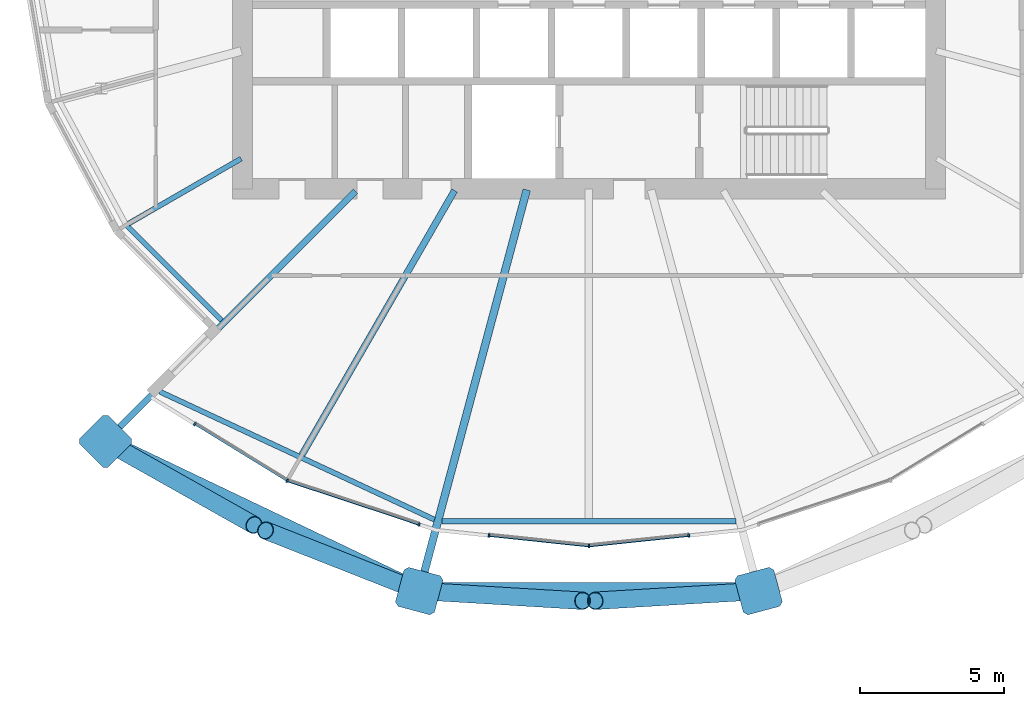
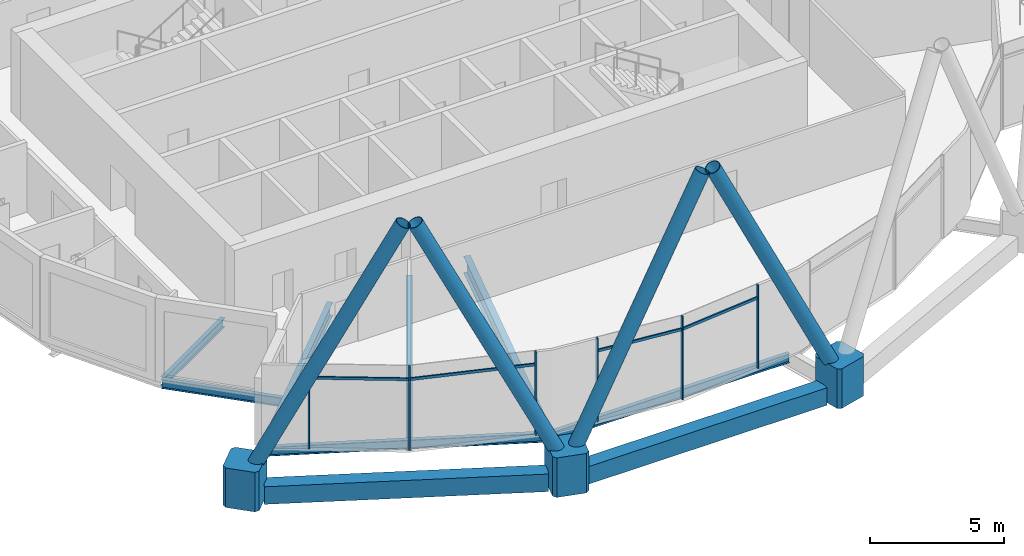
# One storey, part 3 of 35: 17 members, 9 beams, 1 element without a shape of its own.
"""IFC4 building model written with IfcOpenShell, lengths in metres."""

import ifcopenshell
import ifcopenshell.guid

model = None  # the IFC model being written
_history = None  # IfcOwnerHistory: only IFC2X3 demands one
_inside = {}  # id of a spatial element -> (the spatial element, [elements in it])
_under = {}  # id of a project, library or spatial element -> (it, [spatial elements below it])
_declared = {}  # id of a project -> (the project, [libraries it declares])
_typed = {}  # id of a type object -> (the type object, [elements of that type])
_made_of = {}  # id of a material, layer set ... -> (it, [elements and type objects made of it])


def new_model(schema):
    """Start an empty IFC model of exactly this schema.

    Asked for "IFC4X3", IfcOpenShell would pick the latest addendum, in which some entities
    have other attributes; the version numbers below select the first issue.
    IFC2X3 requires an IfcOwnerHistory on every rooted entity: one is made here for all.
    """
    global model, _history
    if schema == "IFC4X3":
        model = ifcopenshell.file(schema_version=(4, 3, 0, 0))
    else:
        model = ifcopenshell.file(schema=schema)
    _inside.clear()
    _under.clear()
    _declared.clear()
    _typed.clear()
    _made_of.clear()
    _history = None
    if model.schema == "IFC2X3":
        org = make("IfcOrganization", Name="unknown")
        user = make(
            "IfcPersonAndOrganization",
            ThePerson=make("IfcPerson", FamilyName="unknown"),
            TheOrganization=org,
        )
        app = make(
            "IfcApplication",
            ApplicationDeveloper=org,
            Version="unknown",
            ApplicationFullName="unknown",
            ApplicationIdentifier="unknown",
        )
        _history = make(
            "IfcOwnerHistory",
            OwningUser=user,
            OwningApplication=app,
            ChangeAction="ADDED",
            CreationDate=0,
        )
    return model


def make(cls, **values):
    """One entity of the class cls with the attributes given. An attribute that is None is left unset."""
    return model.create_entity(
        cls, **{name: value for name, value in values.items() if value is not None}
    )


def rooted(cls, **values):
    """An entity with a GlobalId (a new one), such as an element, a storey or a relation."""
    return make(cls, GlobalId=ifcopenshell.guid.new(), OwnerHistory=_history, **values)


def si_unit(unit_type, name, prefix=None):
    """IfcSIUnit, for example si_unit("LENGTHUNIT", "METRE", prefix="MILLI")."""
    return make("IfcSIUnit", UnitType=unit_type, Prefix=prefix, Name=name)


def assignment(units):
    """IfcUnitAssignment: the units of a project."""
    return None if units is None else make("IfcUnitAssignment", Units=units)


def point(xyz):
    """IfcCartesianPoint."""
    return None if xyz is None else make("IfcCartesianPoint", Coordinates=xyz)


def direction(xyz):
    """IfcDirection."""
    return None if xyz is None else make("IfcDirection", DirectionRatios=xyz)


def frame(location, z_axis=None, x_axis=None):
    """IfcAxis2Placement3D, a coordinate frame: its origin and axes. An axis left out is left unset."""
    return make(
        "IfcAxis2Placement3D",
        Location=point(location),
        Axis=direction(z_axis),
        RefDirection=direction(x_axis),
    )


def frame_2d(location, x_axis=None):
    """IfcAxis2Placement2D, a coordinate frame in the plane: its origin and x axis."""
    return make(
        "IfcAxis2Placement2D", Location=point(location), RefDirection=direction(x_axis)
    )


def origin():
    """The frame at (0, 0, 0) with its axes left unset."""
    return frame((0.0, 0.0, 0.0))


def origin_2d():
    """The frame at (0, 0) in the plane with its x axis left unset."""
    return frame_2d((0.0, 0.0))


def place(relative_to, where):
    """IfcLocalPlacement: puts the frame where relative to a parent placement (None: the world)."""
    return make(
        "IfcLocalPlacement", PlacementRelTo=relative_to, RelativePlacement=where
    )


def context(
    kind, dimensions, precision=None, world=None, true_north=None, identifier=None
):
    """IfcGeometricRepresentationContext, for example the 3D "Model" context."""
    return make(
        "IfcGeometricRepresentationContext",
        ContextIdentifier=identifier,
        ContextType=kind,
        CoordinateSpaceDimension=dimensions,
        Precision=precision,
        WorldCoordinateSystem=world,
        TrueNorth=true_north,
    )


def subcontext(parent, identifier, kind, view, scale=None):
    """IfcGeometricRepresentationSubContext, for example "Body" below "Model"."""
    return make(
        "IfcGeometricRepresentationSubContext",
        ContextIdentifier=identifier,
        ContextType=kind,
        ParentContext=parent,
        TargetScale=scale,
        TargetView=view,
    )


def project(units=None, contexts=None):
    """IfcProject with its units and contexts."""
    return rooted(
        "IfcProject",
        Name="project",
        RepresentationContexts=contexts,
        UnitsInContext=assignment(units),
    )


def spatial(cls, under=None, at=None, **own):
    """A site, building, storey or space (cls), placed at a placement, below another one or the project."""
    s = rooted(cls, ObjectPlacement=at, **own)
    if under is not None:
        _under.setdefault(under.id(), (under, []))[1].append(s)
    return s


def polyline(points):
    """IfcPolyline through the points."""
    return make("IfcPolyline", Points=[point(p) for p in points])


def profile(cls, at=None, kind="AREA", **sizes):
    """A parametric profile (cls). Its sizes go by their IFC names, for example OverallWidth=200.0."""
    return make(cls, ProfileType=kind, Position=at, **sizes)


def rectangle(**sizes):
    """IfcRectangleProfileDef."""
    return profile("IfcRectangleProfileDef", **sizes)


def hollow_rectangle(**sizes):
    """IfcRectangleHollowProfileDef."""
    return profile("IfcRectangleHollowProfileDef", **sizes)


def hollow_circle(**sizes):
    """IfcCircleHollowProfileDef."""
    return profile("IfcCircleHollowProfileDef", **sizes)


def i_section(**sizes):
    """IfcIShapeProfileDef."""
    return profile("IfcIShapeProfileDef", **sizes)


def outline(outer, holes=None, kind="AREA"):
    """IfcArbitraryClosedProfileDef: a profile drawn as a closed curve; with holes, ...WithVoids."""
    if holes is None:
        return make("IfcArbitraryClosedProfileDef", ProfileType=kind, OuterCurve=outer)
    return make(
        "IfcArbitraryProfileDefWithVoids",
        ProfileType=kind,
        OuterCurve=outer,
        InnerCurves=holes,
    )


def extrude(swept, where, along, depth):
    """IfcExtrudedAreaSolid: the profile swept, set in the frame where, extruded along a direction by depth."""
    return make(
        "IfcExtrudedAreaSolid",
        SweptArea=swept,
        Position=where,
        ExtrudedDirection=direction(along),
        Depth=depth,
    )


def shape(context_of_items, identifier, shape_type, items):
    """IfcShapeRepresentation: the items that make up one representation, for example the "Body"."""
    return make(
        "IfcShapeRepresentation",
        ContextOfItems=context_of_items,
        RepresentationIdentifier=identifier,
        RepresentationType=shape_type,
        Items=items,
    )


def material(Name=None, Category=None):
    """IfcMaterial."""
    return make("IfcMaterial", Name=Name, Category=Category)


def material_profile(
    of_material, cross_section, Name=None, Category=None, Priority=None
):
    """IfcMaterialProfile: a cross section and its material."""
    return make(
        "IfcMaterialProfile",
        Name=Name,
        Material=of_material,
        Profile=cross_section,
        Priority=Priority,
        Category=Category,
    )


def profile_set(profiles, Name=None, composite=None):
    """IfcMaterialProfileSet."""
    return make(
        "IfcMaterialProfileSet",
        Name=Name,
        MaterialProfiles=profiles,
        CompositeProfile=composite,
    )


def made_of(thing, what):
    """Note that an element or type object is made of a material, layer set ...; save() writes the relation."""
    if what is not None:
        _made_of.setdefault(what.id(), (what, []))[1].append(thing)
    return thing


def type_object(cls, material=None, **own):
    """A type object (cls), such as IfcWallType, which elements share."""
    return made_of(rooted(cls, **own), material)


def element(
    cls,
    number,
    at=None,
    inside=None,
    cuts=None,
    type_object=None,
    material=None,
    context=None,
    identifier="Body",
    shape_type=None,
    held_by="IfcProductDefinitionShape",
    body=None,
    shapes=None,
    **own,
):
    """One element of the class cls, such as IfcWall. Its Tag is "e" and its number.

    at: its placement. inside: the storey or other place that contains it. cuts: it is an
    opening in that element (IfcRelVoidsElement). A single representation is given by context,
    identifier, shape_type and body (its items); several are given by shapes. held_by: the class
    of the entity that holds the representations. save() writes the other relations.
    """
    e = rooted(cls, Tag="e%d" % number, ObjectPlacement=at, **own)
    if body is not None:
        shapes = [shape(context, identifier, shape_type, body)]
    if shapes is not None:
        e.Representation = make(held_by, Representations=shapes)
    if inside is not None:
        _inside.setdefault(inside.id(), (inside, []))[1].append(e)
    if cuts is not None:
        rooted(
            "IfcRelVoidsElement", RelatingBuildingElement=cuts, RelatedOpeningElement=e
        )
    if type_object is not None:
        _typed.setdefault(type_object.id(), (type_object, []))[1].append(e)
    return made_of(e, material)


def aggregate(whole, parts):
    """IfcRelAggregates: a whole, such as a stair, and the parts it consists of."""
    return rooted("IfcRelAggregates", RelatingObject=whole, RelatedObjects=parts)


def save(model, path):
    """Write the relations noted so far, then the file.

    IfcRelAggregates (storeys below a building ...), IfcRelContainedInSpatialStructure (elements
    in a storey), IfcRelDefinesByType, IfcRelAssociatesMaterial and IfcRelDeclares: one each for
    every whole, place, type object, material and project.
    """
    for whole, parts in _under.values():
        aggregate(whole, parts)
    for where, things in _inside.values():
        rooted(
            "IfcRelContainedInSpatialStructure",
            RelatedElements=things,
            RelatingStructure=where,
        )
    for kind, things in _typed.values():
        rooted("IfcRelDefinesByType", RelatedObjects=things, RelatingType=kind)
    for what, things in _made_of.values():
        rooted("IfcRelAssociatesMaterial", RelatedObjects=things, RelatingMaterial=what)
    for by, libraries in _declared.values():
        rooted("IfcRelDeclares", RelatingContext=by, RelatedDefinitions=libraries)
    model.write(path)


model = new_model("IFC4")

# Units and contexts
model_context = context("Model", 3, precision=1e-05, world=origin(), true_north=direction((0.0, 1.0)))
body_context = subcontext(model_context, "Body", "Model", "MODEL_VIEW")
ifc_project = project(units=[si_unit("LENGTHUNIT", "METRE"), si_unit("AREAUNIT", "SQUARE_METRE"), si_unit("VOLUMEUNIT", "CUBIC_METRE"), si_unit("PLANEANGLEUNIT", "RADIAN"), si_unit("MASSUNIT", "GRAM", prefix="KILO")], contexts=[model_context])

# Site, building, storey
site_placement = place(None, origin())
site = spatial("IfcSite", under=ifc_project, at=site_placement, CompositionType="ELEMENT")
building_placement = place(site_placement, origin())
building = spatial("IfcBuilding", under=site, at=building_placement, Name="Rimbun Link Towers", CompositionType="ELEMENT")
storey_placement = place(building_placement, frame((0.0, 0.0, 146.800048828125)))
storey = spatial("IfcBuildingStorey", under=building, at=storey_placement, Name="L35", CompositionType="ELEMENT", Elevation=146.800048828125)

# Curtain wall, members
ifc_material_1 = material(Name="Aluminium 6063-T6 and low-iron glass", Category="aluminium")
curtain_wall_type = type_object("IfcCurtainWallType", Name="CW4 link block wall", PredefinedType="NOTDEFINED", material=ifc_material_1)
curtain_wall_placement = place(storey_placement, origin())
curtain_wall = element("IfcCurtainWall", 1, at=curtain_wall_placement, inside=storey, type_object=curtain_wall_type, Name="CW4 L35 T1", PredefinedType="NOTDEFINED")
ifc_material_2 = material(Name="Aluminium 6063-T6", Category="aluminium")
ifc_material_profile_1 = material_profile(ifc_material_2, rectangle(XDim=0.1201171875, YDim=0.06005859375, at=origin_2d()), Name="MULLION 60X120")
ifc_profile_set_1 = profile_set([ifc_material_profile_1], Name="Aluminium 6063-T6")
member_type_1 = type_object("IfcMemberType", Name="CW4 mullion 60X120", PredefinedType="MULLION", material=ifc_profile_set_1)
member_1_placement = place(storey_placement, frame((-42.20068359375, -18.11181640625, 0.0), z_axis=(0.0, 0.0, 1.0), x_axis=(-0.421697332152, -0.906736654192, 0.0)))
member_1 = element("IfcMember", 2, at=member_1_placement, type_object=member_type_1, Name="CW4 mullion", PredefinedType="MULLION", context=body_context, shape_type="SweptSolid", body=[
    extrude(rectangle(XDim=0.1201171875, YDim=0.06005859375, at=origin_2d()), origin(), (0.0, 0.0, 1.0), 3.800048828125),
])
member_2_placement = place(storey_placement, frame((-45.401611328125, -16.147216796875, 0.0), z_axis=(0.0, 0.0, 1.0), x_axis=(-0.523225378089, -0.852194346217, 0.0)))
member_2 = element("IfcMember", 3, at=member_2_placement, type_object=member_type_1, Name="CW4 mullion", PredefinedType="MULLION", context=body_context, shape_type="SweptSolid", body=[
    extrude(rectangle(XDim=0.1201171875, YDim=0.06005859375, at=origin_2d()), origin(), (0.0, 0.0, 1.0), 3.800048828125),
])
member_3_placement = place(storey_placement, frame((-37.632568359375, -19.626220703125, 0.0), z_axis=(0.0, 0.0, 1.0), x_axis=(-0.314567961741, -0.949234953763, 0.0)))
member_3 = element("IfcMember", 4, at=member_3_placement, type_object=member_type_1, Name="CW4 mullion", PredefinedType="MULLION", context=body_context, shape_type="SweptSolid", body=[
    extrude(rectangle(XDim=0.1201171875, YDim=0.06005859375, at=origin_2d()), origin(), (0.0, 0.0, 1.0), 3.800048828125),
])
member_4_placement = place(storey_placement, frame((-31.75, -20.37548828125, 0.0), z_axis=(0.0, 0.0, 1.0), x_axis=(0.0, -1.0, 0.0)))
member_4 = element("IfcMember", 5, at=member_4_placement, type_object=member_type_1, Name="CW4 mullion", PredefinedType="MULLION", context=body_context, shape_type="SweptSolid", body=[
    extrude(rectangle(XDim=0.1201171875, YDim=0.06005859375, at=origin_2d()), origin(), (0.0, 0.0, 1.0), 3.800048828125),
])
member_5_placement = place(storey_placement, frame((-35.21044921875, -20.011474609375, 0.0), z_axis=(0.0, 0.0, 1.0), x_axis=(-0.104745411125, -0.994499069305, 0.0)))
member_5 = element("IfcMember", 6, at=member_5_placement, type_object=member_type_1, Name="CW4 mullion", PredefinedType="MULLION", context=body_context, shape_type="SweptSolid", body=[
    extrude(rectangle(XDim=0.1201171875, YDim=0.06005859375, at=origin_2d()), origin(), (0.0, 0.0, 1.0), 3.800048828125),
])
member_6_placement = place(storey_placement, frame((-28.28955078125, -20.011474609375, 0.0), z_axis=(0.0, 0.0, 1.0), x_axis=(0.104745411125, -0.994499069305, 0.0)))
member_6 = element("IfcMember", 7, at=member_6_placement, type_object=member_type_1, Name="CW4 mullion", PredefinedType="MULLION", context=body_context, shape_type="SweptSolid", body=[
    extrude(rectangle(XDim=0.1201171875, YDim=0.06005859375, at=origin_2d()), origin(), (0.0, 0.0, 1.0), 3.800048828125),
])
ifc_material_3 = material(Name="Aluminium 6063-T6", Category="aluminium")
ifc_material_profile_2 = material_profile(ifc_material_3, rectangle(XDim=0.06005859375, YDim=0.1201171875, at=origin_2d()), Name="TRANSOM 60X120")
ifc_profile_set_2 = profile_set([ifc_material_profile_2], Name="Aluminium 6063-T6")
member_type_2 = type_object("IfcMemberType", Name="CW4 transom 60X120", PredefinedType="USERDEFINED", material=ifc_profile_set_2)
member_7_placement = place(storey_placement, frame((-42.2314453125, -18.09130859375, 3.199951171875), z_axis=(-0.85218054514, 0.523247855691, 0.0), x_axis=(-0.523247855691, -0.85218054514, 0.0)))
member_7 = element("IfcMember", 8, at=member_7_placement, type_object=member_type_2, Name="CW4 transom", ObjectType="TRANSOM", PredefinedType="USERDEFINED", context=body_context, shape_type="SweptSolid", body=[
    extrude(rectangle(XDim=0.06005859375, YDim=0.1201171875, at=origin_2d()), origin(), (0.0, 0.0, 1.0), 3.688720703125),
])
member_8_placement = place(storey_placement, frame((-37.660400390625, -19.614990234375, 3.199951171875), z_axis=(-0.949232304469, 0.314575956093, 0.0), x_axis=(-0.314575956093, -0.949232304469, 0.0)))
member_8 = element("IfcMember", 9, at=member_8_placement, type_object=member_type_2, Name="CW4 transom", ObjectType="TRANSOM", PredefinedType="USERDEFINED", context=body_context, shape_type="SweptSolid", body=[
    extrude(rectangle(XDim=0.06005859375, YDim=0.1201171875, at=origin_2d()), origin(), (0.0, 0.0, 1.0), 4.745849609375),
])
member_9_placement = place(storey_placement, frame((-31.785888671875, -20.3701171875, 3.199951171875), z_axis=(-0.994502317074, 0.104714570785, 0.0), x_axis=(-0.104714570785, -0.994502317074, 0.0)))
member_9 = element("IfcMember", 10, at=member_9_placement, type_object=member_type_2, Name="CW4 transom", ObjectType="TRANSOM", PredefinedType="USERDEFINED", context=body_context, shape_type="SweptSolid", body=[
    extrude(rectangle(XDim=0.06005859375, YDim=0.1201171875, at=origin_2d()), origin(), (0.0, 0.0, 1.0), 3.413330078125),
])
member_10_placement = place(storey_placement, frame((-28.319580078125, -20.0126953125, 3.199951171875), z_axis=(-0.994502317074, -0.104714570785, 0.0), x_axis=(0.104714570785, -0.994502317074, 0.0)))
member_10 = element("IfcMember", 11, at=member_10_placement, type_object=member_type_2, Name="CW4 transom", ObjectType="TRANSOM", PredefinedType="USERDEFINED", context=body_context, shape_type="SweptSolid", body=[
    extrude(rectangle(XDim=0.06005859375, YDim=0.1201171875, at=origin_2d()), origin(), (0.0, 0.0, 1.0), 3.413330078125),
])
aggregate(curtain_wall, [member_1, member_2, member_3, member_4, member_5, member_6, member_7, member_8, member_9, member_10])

# Members
ifc_material_4 = material(Name="Steel S355J2H", Category="steel")
ifc_material_profile_3 = material_profile(ifc_material_4, hollow_circle(Radius=0.3046875, WallThickness=0.02490234375, at=origin_2d()), Name="Diagrid diagonal CHS 610x25")
ifc_profile_set_3 = profile_set([ifc_material_profile_3], Name="Steel S355J2H")
member_type_3 = type_object("IfcMemberType", Name="Diagrid diagonal CHS 610x25", PredefinedType="BRACE", material=ifc_profile_set_3)
member_11_placement = place(storey_placement, frame((-48.29833984375, -16.856201171875, 0.446044921875), z_axis=(0.393704990847, -0.221831902449, 0.892068936371), x_axis=(0.490887866412, 0.871222762909, 0.0)))
element("IfcMember", 12, at=member_11_placement, inside=storey, type_object=member_type_3, Name="Diagrid diagonal T1 L35-L38 15b", PredefinedType="BRACE", context=body_context, shape_type="SweptSolid", body=[
    extrude(hollow_circle(Radius=0.3046875, WallThickness=0.02490234375, at=origin_2d()), origin(), (0.0, 0.0, 1.0), 12.56396484375),
])
member_12_placement = place(storey_placement, frame((-37.83154296875, -21.8505859375, 0.44873046875), z_axis=(-0.410123535284, 0.161506315636, 0.897615951182), x_axis=(-0.366411586926, -0.93045287305, 0.0)))
element("IfcMember", 13, at=member_12_placement, inside=storey, type_object=member_type_3, Name="Diagrid diagonal T1 L35-L38 17a", PredefinedType="BRACE", context=body_context, shape_type="SweptSolid", body=[
    extrude(hollow_circle(Radius=0.3046875, WallThickness=0.02490234375, at=origin_2d()), origin(), (0.0, 0.0, 1.0), 12.480224609375),
])
for number, where, z_axis, x_axis, name in (
    (14, (-37.408203125, -21.9443359375, 0.449462890625), (0.436706555424, -0.026067937647, 0.899226249104), (0.059586051777, 0.998223172659, 0.0), "Diagrid diagonal T1 L35-L38 17b"),
    (15, (-26.091796875, -21.9443359375, 0.449462890625), (-0.436706555424, -0.026067937647, 0.899226249104), (0.059586051777, -0.998223172659, 0.0), "Diagrid diagonal T1 L35-L38 19a"),
):
    element("IfcMember", number, at=place(storey_placement, frame(where, z_axis=z_axis, x_axis=x_axis)), inside=storey, type_object=member_type_3, Name=name, PredefinedType="BRACE", context=body_context, shape_type="SweptSolid", body=[
        extrude(hollow_circle(Radius=0.3046875, WallThickness=0.02490234375, at=origin_2d()), origin(), (0.0, 0.0, 1.0), 12.456298828125),
    ])
ifc_material_5 = material(Name="Cast steel G20Mn5+QT, Rp0.2 300 MPa", Category="steel")
ifc_material_profile_4 = material_profile(ifc_material_5, outline(polyline([(0.699951171875, -0.570068359375), (0.699951171875, 0.570068359375), (0.570068359375, 0.699951171875), (-0.570068359375, 0.699951171875), (-0.699951171875, 0.570068359375), (-0.699951171875, -0.570068359375), (-0.570068359375, -0.699951171875), (0.570068359375, -0.699951171875), (0.699951171875, -0.570068359375)])), Name="NODE 1400x1400")
ifc_profile_set_4 = profile_set([ifc_material_profile_4], Name="Cast steel G20Mn5+QT, Rp0.2 300 MPa")
member_type_4 = type_object("IfcMemberType", Name="Diagrid node cast 1400", PredefinedType="USERDEFINED", material=ifc_profile_set_4)
for number, where, z_axis, x_axis, name in (
    (16, (-48.4951171875, -16.7451171875, -0.900146484375), (0.0, 0.0, 1.0), (-0.707106781187, -0.707106781187, 0.0), "Diagrid node L35 15"),
    (17, (-37.62646484375, -21.931396484375, -0.900146484375), (0.0, 0.0, 1.0), (-0.258819045103, -0.965925826289, 0.0), "Diagrid node L35 17"),
    (18, (-25.87353515625, -21.931396484375, -0.900146484375), (0.0, 0.0, 1.0), (0.258819045103, -0.965925826289, 0.0), "Diagrid node L35 19"),
):
    element("IfcMember", number, at=place(storey_placement, frame(where, z_axis=z_axis, x_axis=x_axis)), inside=storey, type_object=member_type_4, Name=name, ObjectType="Diagrid node", PredefinedType="USERDEFINED", context=body_context, shape_type="SweptSolid", body=[
        extrude(outline(polyline([(0.699951171875, -0.570068359375), (0.699951171875, 0.570068359375), (0.570068359375, 0.699951171875), (-0.570068359375, 0.699951171875), (-0.699951171875, 0.570068359375), (-0.699951171875, -0.570068359375), (-0.570068359375, -0.699951171875), (0.570068359375, -0.699951171875), (0.699951171875, -0.570068359375)])), origin(), (0.0, 0.0, 1.0), 1.800048828125),
    ])

# Beams
ifc_material_6 = material(Name="Steel S355J2", Category="steel")
ifc_material_profile_5 = material_profile(ifc_material_6, hollow_rectangle(XDim=0.60009765625, YDim=0.800048828125, WallThickness=0.0400390625, at=origin_2d()), Name="Exoskeleton ring girder BOX 600x800x40")
ifc_profile_set_5 = profile_set([ifc_material_profile_5], Name="Steel S355J2")
beam_type_1 = type_object("IfcBeamType", Name="Exoskeleton ring girder BOX 600x800x40", PredefinedType="BEAM", material=ifc_profile_set_5)
beam_1_placement = place(storey_placement, frame((-47.86328125, -17.046630859375, -0.56005859375), z_axis=(0.902515488707, -0.4306573959, 0.0), x_axis=(0.4306573959, 0.902515488707, 0.0)))
element("IfcBeam", 19, at=beam_1_placement, inside=storey, type_object=beam_type_1, Name="Exoskeleton ring girder L35 05", PredefinedType="BEAM", context=body_context, shape_type="SweptSolid", body=[
    extrude(hollow_rectangle(XDim=0.60009765625, YDim=0.800048828125, WallThickness=0.0400390625, at=origin_2d()), origin(), (0.0, 0.0, 1.0), 10.642333984375),
])
beam_2_placement = place(storey_placement, frame((-36.926513671875, -21.931396484375, -0.56005859375), z_axis=(1.0, 0.0, 0.0), x_axis=(0.0, 1.0, 0.0)))
element("IfcBeam", 20, at=beam_2_placement, inside=storey, type_object=beam_type_1, Name="Exoskeleton ring girder L35 06", PredefinedType="BEAM", context=body_context, shape_type="SweptSolid", body=[
    extrude(hollow_rectangle(XDim=0.60009765625, YDim=0.800048828125, WallThickness=0.0400390625, at=origin_2d()), origin(), (0.0, 0.0, 1.0), 10.35302734375),
])
ifc_material_7 = material(Name="Steel S355J2", Category="steel")
ifc_material_profile_6 = material_profile(ifc_material_7, i_section(OverallWidth=0.177978515625, OverallDepth=0.406494140625, WebThickness=0.0078125, FlangeThickness=0.0126953125, at=origin_2d()), Name="UB 406x178x60")
ifc_profile_set_6 = profile_set([ifc_material_profile_6], Name="Steel S355J2")
beam_type_2 = type_object("IfcBeamType", Name="UB 406x178x60", PredefinedType="BEAM", material=ifc_profile_set_6)
beam_3_placement = place(storey_placement, frame((-43.79541015625, -6.954345703125, -0.38330078125), z_axis=(-0.86601319904, -0.500021138641, 0.0), x_axis=(0.500021138641, -0.86601319904, 0.0)))
element("IfcBeam", 21, at=beam_3_placement, inside=storey, type_object=beam_type_2, Name="Radial beam T1 L35 14", PredefinedType="BEAM", context=body_context, shape_type="SweptSolid", body=[
    extrude(i_section(OverallWidth=0.177978515625, OverallDepth=0.406494140625, WebThickness=0.0078125, FlangeThickness=0.0126953125, at=origin_2d()), origin(), (0.0, 0.0, 1.0), 4.504638671875),
])
beam_4_placement = place(storey_placement, frame((-47.764892578125, -9.261962890625, -0.38330078125), z_axis=(0.707185358792, -0.707028194848, 0.0), x_axis=(0.707028194848, 0.707185358792, 0.0)))
element("IfcBeam", 22, at=beam_4_placement, inside=storey, type_object=beam_type_2, Name="Edge beam T1 L35 14 recess", PredefinedType="BEAM", context=body_context, shape_type="SweptSolid", body=[
    extrude(i_section(OverallWidth=0.177978515625, OverallDepth=0.406494140625, WebThickness=0.0078125, FlangeThickness=0.0126953125, at=origin_2d()), origin(), (0.0, 0.0, 1.0), 4.66015625),
])
beam_5_placement = place(storey_placement, frame((-46.61181640625, -15.02392578125, -0.38330078125), z_axis=(0.906398229698, -0.422424252618, 0.0), x_axis=(0.422424252618, 0.906398229698, 0.0)))
element("IfcBeam", 23, at=beam_5_placement, inside=storey, type_object=beam_type_2, Name="Edge beam T1 L35 15-17", PredefinedType="BEAM", context=body_context, shape_type="SweptSolid", body=[
    extrude(i_section(OverallWidth=0.177978515625, OverallDepth=0.406494140625, WebThickness=0.0078125, FlangeThickness=0.0126953125, at=origin_2d()), origin(), (0.0, 0.0, 1.0), 10.491455078125),
])
beam_6_placement = place(storey_placement, frame((-36.839599609375, -19.513427734375, -0.38330078125), z_axis=(1.0, 0.0, 0.0), x_axis=(0.0, 1.0, 0.0)))
element("IfcBeam", 24, at=beam_6_placement, inside=storey, type_object=beam_type_2, Name="Edge beam T1 L35 17-19", PredefinedType="BEAM", context=body_context, shape_type="SweptSolid", body=[
    extrude(i_section(OverallWidth=0.177978515625, OverallDepth=0.406494140625, WebThickness=0.0078125, FlangeThickness=0.0126953125, at=origin_2d()), origin(), (0.0, 0.0, 1.0), 10.17919921875),
])
ifc_material_8 = material(Name="Steel S355J2", Category="steel")
ifc_material_profile_7 = material_profile(ifc_material_8, i_section(OverallWidth=0.2275390625, OverallDepth=0.6025390625, WebThickness=0.010498046875, FlangeThickness=0.014892578125, at=origin_2d()), Name="UB 610x229x101")
ifc_profile_set_7 = profile_set([ifc_material_profile_7], Name="Steel S355J2")
beam_type_3 = type_object("IfcBeamType", Name="UB 610x229x101", PredefinedType="BEAM", material=ifc_profile_set_7)
beam_7_placement = place(storey_placement, frame((-39.831298828125, -8.081298828125, -0.4814453125), z_axis=(-0.707106781187, -0.707106781187, 0.0), x_axis=(0.707106781187, -0.707106781187, 0.0)))
element("IfcBeam", 25, at=beam_7_placement, inside=storey, type_object=beam_type_3, Name="Radial beam T1 L35 15", PredefinedType="BEAM", context=body_context, shape_type="SweptSolid", body=[
    extrude(i_section(OverallWidth=0.2275390625, OverallDepth=0.6025390625, WebThickness=0.010498046875, FlangeThickness=0.014892578125, at=origin_2d()), origin(), (0.0, 0.0, 1.0), 11.75244140625),
])
beam_8_placement = place(storey_placement, frame((-36.402099609375, -8.057861328125, -0.4814453125), z_axis=(-0.500014158692, -0.866017229106, 0.0), x_axis=(0.866017229106, -0.500014158692, 0.0)))
element("IfcBeam", 26, at=beam_8_placement, inside=storey, type_object=beam_type_3, Name="Radial beam T1 L35 16", PredefinedType="BEAM", context=body_context, shape_type="SweptSolid", body=[
    extrude(i_section(OverallWidth=0.2275390625, OverallDepth=0.6025390625, WebThickness=0.010498046875, FlangeThickness=0.014892578125, at=origin_2d()), origin(), (0.0, 0.0, 1.0), 10.577392578125),
])
ifc_material_9 = material(Name="Steel S355J2", Category="steel")
ifc_material_profile_8 = material_profile(ifc_material_9, i_section(OverallWidth=0.2666015625, OverallDepth=0.76220703125, WebThickness=0.014404296875, FlangeThickness=0.021484375, at=origin_2d()), Name="UB 762x267x173")
ifc_profile_set_8 = profile_set([ifc_material_profile_8], Name="Steel S355J2")
beam_type_4 = type_object("IfcBeamType", Name="UB 762x267x173", PredefinedType="BEAM", material=ifc_profile_set_8)
beam_9_placement = place(storey_placement, frame((-33.903076171875, -8.035400390625, -0.56103515625), z_axis=(-0.258816935053, -0.965926391673, 0.0), x_axis=(0.965926391673, -0.258816935053, 0.0)))
element("IfcBeam", 27, at=beam_9_placement, inside=storey, type_object=beam_type_4, Name="Radial beam T1 L35 17", PredefinedType="BEAM", context=body_context, shape_type="SweptSolid", body=[
    extrude(i_section(OverallWidth=0.2666015625, OverallDepth=0.76220703125, WebThickness=0.014404296875, FlangeThickness=0.021484375, at=origin_2d()), origin(), (0.0, 0.0, 1.0), 13.88623046875),
])

save(model, "model.ifc")
